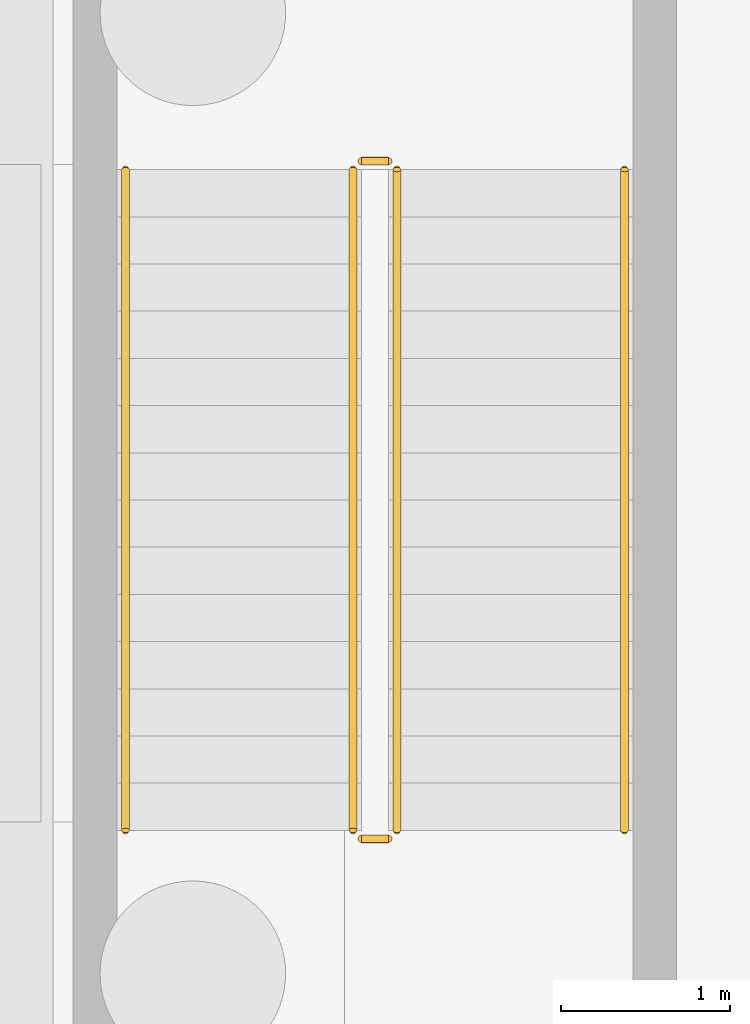
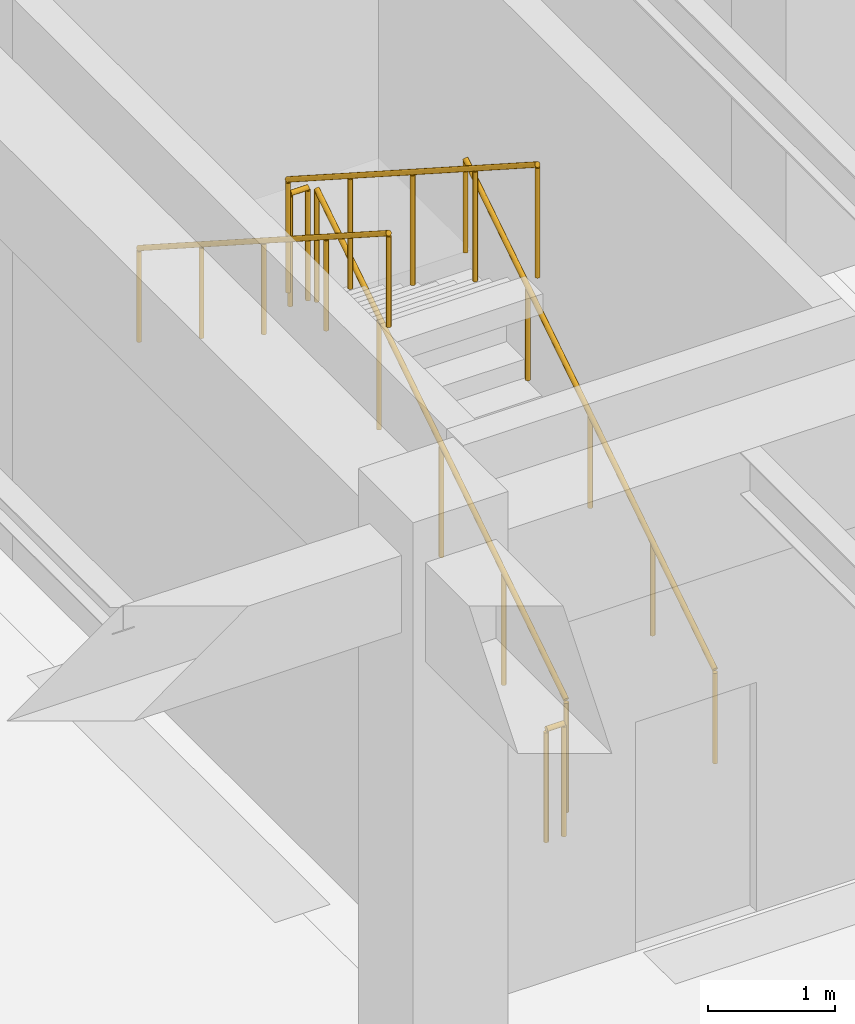
# One storey, part 39 of 44: 6 railings.
"""IFC4 building model written with IfcOpenShell, lengths in metres."""

from ifc_helpers import new_model, si_unit, direction, frame, origin, origin_2d, place, context, subcontext, project, spatial, circle, extrude, material, type_object, element, save


model = new_model("IFC4")

# Units and contexts
model_context = context("Model", 3, precision=1e-05, world=origin(), true_north=direction((0.0, 1.0)))
body_context = subcontext(model_context, "Body", "Model", "MODEL_VIEW")
ifc_project = project(units=[si_unit("LENGTHUNIT", "METRE"), si_unit("AREAUNIT", "SQUARE_METRE"), si_unit("VOLUMEUNIT", "CUBIC_METRE"), si_unit("PLANEANGLEUNIT", "RADIAN"), si_unit("MASSUNIT", "GRAM", prefix="KILO")], contexts=[model_context])

# Site, building, storey
site_placement = place(None, origin())
site = spatial("IfcSite", under=ifc_project, at=site_placement, CompositionType="ELEMENT")
building_placement = place(site_placement, origin())
building = spatial("IfcBuilding", under=site, at=building_placement, Name="Pecanmere Concourse Central Library", CompositionType="ELEMENT")
storey_placement = place(building_placement, frame((0.0, 0.0, -5.39990234375)))
storey = spatial("IfcBuildingStorey", under=building, at=storey_placement, Name="B1", CompositionType="ELEMENT", Elevation=-5.39990234375)

# Railings
ifc_material_1 = material(Name="Painted architectural steel ASTM A36", Category="steel")
railing_type_1 = type_object("IfcRailingType", Name="RAIL_STAIR_GUARD", PredefinedType="GUARDRAIL", material=ifc_material_1)
railing_1_placement = place(storey_placement, frame((114.360107421875, 58.0, 0.179931640625)))
element("IfcRailing", 1, at=railing_1_placement, inside=storey, type_object=railing_type_1, Name="B1 ST-05 Guard 1", PredefinedType="GUARDRAIL", context=body_context, shape_type="SweptSolid", body=[
    extrude(circle(Radius=0.02392578125, at=origin_2d()), frame((0.0, 0.0, 1.076171875), z_axis=(0.0, 0.841171666519, 0.540768182723), x_axis=(-1.0, 0.0, 0.0)), (0.0, 0.0, 1.0), 4.66015625),
    extrude(circle(Radius=0.02099609375, at=origin_2d()), origin(), (0.0, 0.0, 1.0), 1.052001953125),
    extrude(circle(Radius=0.02099609375, at=origin_2d()), frame((0.0, 0.97998046875, 0.6298828125)), (0.0, 0.0, 1.0), 1.052001953125),
    extrude(circle(Radius=0.02099609375, at=origin_2d()), frame((0.0, 1.9599609375, 1.260009765625)), (0.0, 0.0, 1.0), 1.052001953125),
    extrude(circle(Radius=0.02099609375, at=origin_2d()), frame((0.0, 2.93994140625, 1.89013671875)), (0.0, 0.0, 1.0), 1.052001953125),
    extrude(circle(Radius=0.02099609375, at=origin_2d()), frame((0.0, 3.919921875, 2.52001953125)), (0.0, 0.0, 1.0), 1.052001953125),
])
railing_2_placement = place(storey_placement, frame((114.31005859375, 61.969970703125, 2.699951171875)))
element("IfcRailing", 2, at=railing_2_placement, inside=storey, type_object=railing_type_1, Name="B1 ST-05 Guard 2", PredefinedType="GUARDRAIL", context=body_context, shape_type="SweptSolid", body=[
    extrude(circle(Radius=0.02392578125, at=origin_2d()), frame((0.0, 0.0, 1.076171875), z_axis=(-1.0, 0.0, 0.0), x_axis=(0.0, -1.0, 0.0)), (0.0, 0.0, 1.0), 0.16015625),
    extrude(circle(Radius=0.02099609375, at=origin_2d()), origin(), (0.0, 0.0, 1.0), 1.052001953125),
    extrude(circle(Radius=0.02099609375, at=origin_2d()), frame((-0.16015625, 0.0, 0.0)), (0.0, 0.0, 1.0), 1.052001953125),
])
railing_3_placement = place(storey_placement, frame((114.10009765625, 61.919921875, 2.8798828125)))
element("IfcRailing", 3, at=railing_3_placement, inside=storey, type_object=railing_type_1, Name="B1 ST-05 Guard 3", PredefinedType="GUARDRAIL", context=body_context, shape_type="SweptSolid", body=[
    extrude(circle(Radius=0.02392578125, at=origin_2d()), frame((0.0, 0.0, 1.076171875), z_axis=(0.0, -0.841171666519, 0.540768182723), x_axis=(1.0, 0.0, 0.0)), (0.0, 0.0, 1.0), 4.66015625),
    extrude(circle(Radius=0.02099609375, at=origin_2d()), origin(), (0.0, 0.0, 1.0), 1.052001953125),
    extrude(circle(Radius=0.02099609375, at=origin_2d()), frame((0.0, -0.97998046875, 0.6298828125)), (0.0, 0.0, 1.0), 1.052001953125),
    extrude(circle(Radius=0.02099609375, at=origin_2d()), frame((0.0, -1.9599609375, 1.260009765625)), (0.0, 0.0, 1.0), 1.052001953125),
    extrude(circle(Radius=0.02099609375, at=origin_2d()), frame((0.0, -2.93994140625, 1.89013671875)), (0.0, 0.0, 1.0), 1.052001953125),
    extrude(circle(Radius=0.02099609375, at=origin_2d()), frame((0.0, -3.919921875, 2.52001953125)), (0.0, 0.0, 1.0), 1.052001953125),
])
railing_4_placement = place(storey_placement, frame((114.31005859375, 57.949951171875, 0.0)))
element("IfcRailing", 4, at=railing_4_placement, inside=storey, type_object=railing_type_1, Name="B1 ST-05 Guard 4", PredefinedType="GUARDRAIL", context=body_context, shape_type="SweptSolid", body=[
    extrude(circle(Radius=0.02392578125, at=origin_2d()), frame((0.0, 0.0, 1.076171875), z_axis=(-1.0, 0.0, 0.0), x_axis=(0.0, -1.0, 0.0)), (0.0, 0.0, 1.0), 0.16015625),
    extrude(circle(Radius=0.02099609375, at=origin_2d()), origin(), (0.0, 0.0, 1.0), 1.052001953125),
    extrude(circle(Radius=0.02099609375, at=origin_2d()), frame((-0.16015625, 0.0, 0.0)), (0.0, 0.0, 1.0), 1.052001953125),
])
ifc_material_2 = material(Name="Brushed stainless steel Grade 316", Category="steel")
railing_type_2 = type_object("IfcRailingType", Name="RAIL_STAIR_HR", PredefinedType="HANDRAIL", material=ifc_material_2)
railing_5_placement = place(storey_placement, frame((115.7099609375, 58.0, 0.179931640625)))
element("IfcRailing", 5, at=railing_5_placement, inside=storey, type_object=railing_type_2, Name="B1 ST-05 Handrail 1", PredefinedType="HANDRAIL", context=body_context, shape_type="SweptSolid", body=[
    extrude(circle(Radius=0.02392578125, at=origin_2d()), frame((0.0, 0.0, 0.89111328125), z_axis=(0.0, 0.841171666519, 0.540768182723), x_axis=(-1.0, 0.0, 0.0)), (0.0, 0.0, 1.0), 4.66015625),
    extrude(circle(Radius=0.02099609375, at=origin_2d()), origin(), (0.0, 0.0, 1.0), 0.866943359375),
    extrude(circle(Radius=0.02099609375, at=origin_2d()), frame((0.0, 0.97998046875, 0.6298828125)), (0.0, 0.0, 1.0), 0.866943359375),
    extrude(circle(Radius=0.02099609375, at=origin_2d()), frame((0.0, 1.9599609375, 1.260009765625)), (0.0, 0.0, 1.0), 0.866943359375),
    extrude(circle(Radius=0.02099609375, at=origin_2d()), frame((0.0, 2.93994140625, 1.89013671875)), (0.0, 0.0, 1.0), 0.866943359375),
    extrude(circle(Radius=0.02099609375, at=origin_2d()), frame((0.0, 3.919921875, 2.52001953125)), (0.0, 0.0, 1.0), 0.866943359375),
])
railing_6_placement = place(storey_placement, frame((112.75, 61.919921875, 2.8798828125)))
element("IfcRailing", 6, at=railing_6_placement, inside=storey, type_object=railing_type_2, Name="B1 ST-05 Handrail 2", PredefinedType="HANDRAIL", context=body_context, shape_type="SweptSolid", body=[
    extrude(circle(Radius=0.02392578125, at=origin_2d()), frame((0.0, 0.0, 0.89111328125), z_axis=(0.0, -0.841171666519, 0.540768182723), x_axis=(1.0, 0.0, 0.0)), (0.0, 0.0, 1.0), 4.66015625),
    extrude(circle(Radius=0.02099609375, at=origin_2d()), origin(), (0.0, 0.0, 1.0), 0.866943359375),
    extrude(circle(Radius=0.02099609375, at=origin_2d()), frame((0.0, -0.97998046875, 0.6298828125)), (0.0, 0.0, 1.0), 0.866943359375),
    extrude(circle(Radius=0.02099609375, at=origin_2d()), frame((0.0, -1.9599609375, 1.260009765625)), (0.0, 0.0, 1.0), 0.866943359375),
    extrude(circle(Radius=0.02099609375, at=origin_2d()), frame((0.0, -2.93994140625, 1.89013671875)), (0.0, 0.0, 1.0), 0.866943359375),
    extrude(circle(Radius=0.02099609375, at=origin_2d()), frame((0.0, -3.919921875, 2.52001953125)), (0.0, 0.0, 1.0), 0.866943359375),
])

save(model, "model.ifc")
